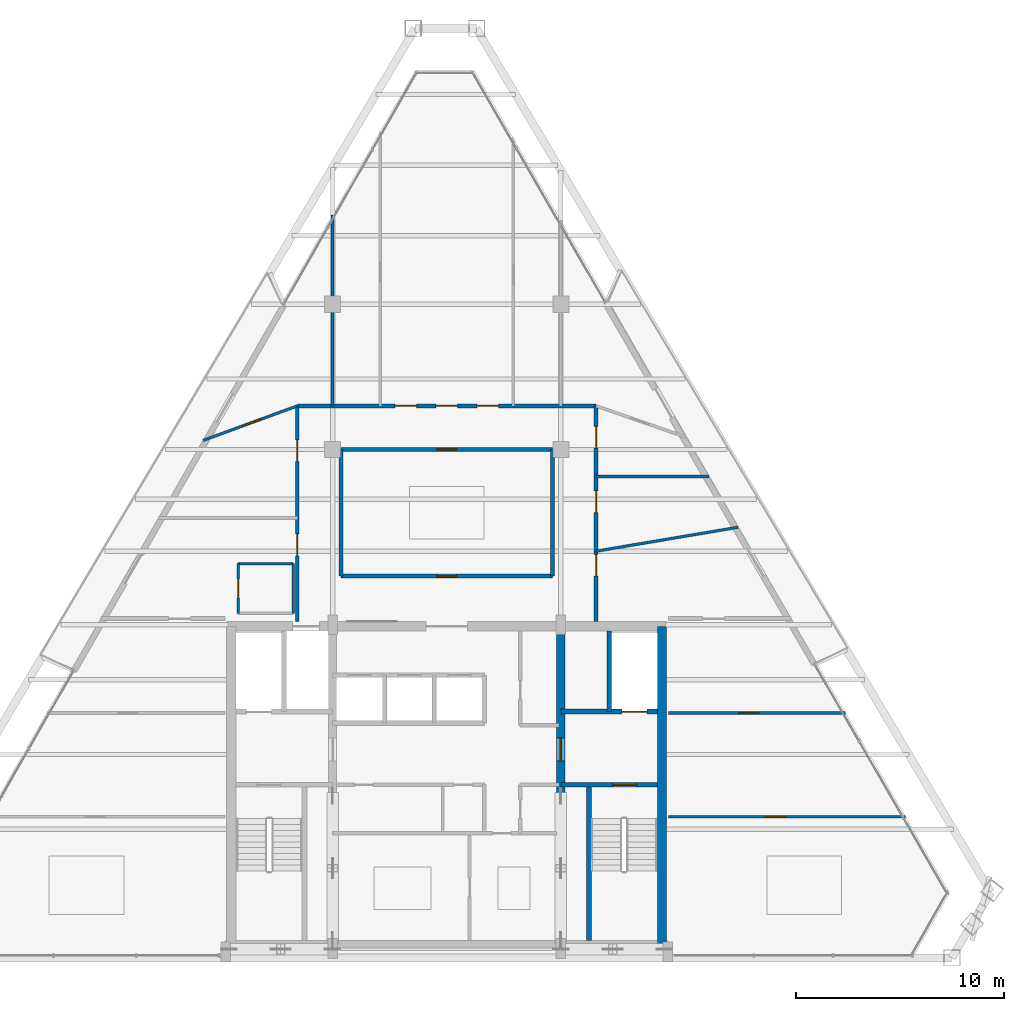
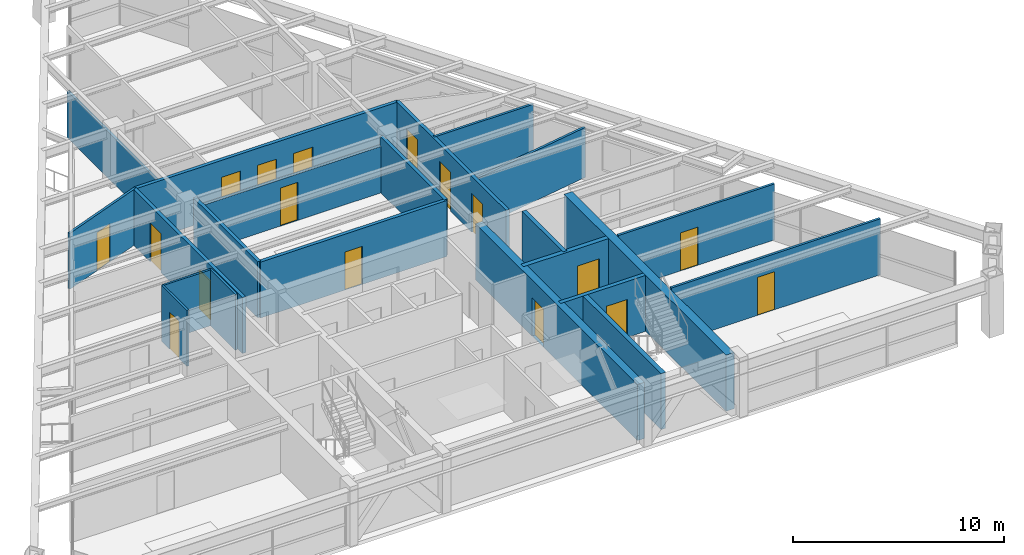
# One storey, part 10 of 13: 22 walls, 17 doors, 17 openings.
"""IFC4 building model written with IfcOpenShell, lengths in metres."""

from ifc_helpers import new_model, si_unit, direction, frame, frame_2d, origin, place, context, subcontext, project, spatial, rectangle, extrude, source, transform, mapped, material, layer, layer_set, type_object, type_shapes, element, fill, save


model = new_model("IFC4")

# Units and contexts
model_context = context("Model", 3, precision=1e-05, world=origin(), true_north=direction((0.0, 1.0)))
body_context = subcontext(model_context, "Body", "Model", "MODEL_VIEW")
ifc_project = project(units=[si_unit("LENGTHUNIT", "METRE"), si_unit("AREAUNIT", "SQUARE_METRE"), si_unit("VOLUMEUNIT", "CUBIC_METRE"), si_unit("PLANEANGLEUNIT", "RADIAN"), si_unit("MASSUNIT", "GRAM", prefix="KILO")], contexts=[model_context])

# Site, building, storey
site_placement = place(None, origin())
site = spatial("IfcSite", under=ifc_project, at=site_placement, CompositionType="ELEMENT")
building_placement = place(site_placement, origin())
building = spatial("IfcBuilding", under=site, at=building_placement, Name="Varnakhor Terracotta Tower", CompositionType="ELEMENT")
storey_placement = place(building_placement, frame((0.0, 0.0, 293.699951171875)))
storey = spatial("IfcBuildingStorey", under=building, at=storey_placement, Name="L77", CompositionType="ELEMENT", Elevation=293.699951171875)

# Wall
ifc_material_1 = material(Name="Moisture-Resistant Tile-Backed Partition", Category="gypsum")
ifc_layer_1 = layer(ifc_material_1, 0.114990234375, Name="Moisture-Resistant Tile-Backed Partition")
ifc_layer_set_1 = layer_set([ifc_layer_1], Name="Moisture-Resistant Tile-Backed Partition")
wall_type_1 = type_object("IfcWallType", Name="WAL-BATH-115", PredefinedType="PARTITIONING", material=ifc_layer_set_1)
wall_1_placement = place(storey_placement, frame((-10.050048828125, 19.0, 0.0), z_axis=(0.0, 0.0, 1.0), x_axis=(1.0, 0.0, 0.0)))
element("IfcWall", 1, at=wall_1_placement, inside=storey, type_object=wall_type_1, Name="L77 En-Suite 1 Wall N", PredefinedType="PARTITIONING", context=body_context, shape_type="SweptSolid", body=[
    extrude(rectangle(XDim=2.650146484375, YDim=0.114990234375, at=frame_2d((1.3251953125, 0.0))), origin(), (0.0, 0.0, 1.0), 3.23193359375),
])

# Wall, opening, door
wall_2_placement = place(storey_placement, frame((-10.050048828125, 16.60009765625, 0.0), z_axis=(0.0, 0.0, 1.0), x_axis=(0.0, 1.0, 0.0)))
wall_2 = element("IfcWall", 2, at=wall_2_placement, inside=storey, type_object=wall_type_1, Name="L77 En-Suite 1 Wall W", PredefinedType="PARTITIONING", context=body_context, shape_type="SweptSolid", body=[
    extrude(rectangle(XDim=2.39990234375, YDim=0.114990234375, at=frame_2d((1.199951171875, 0.0))), origin(), (0.0, 0.0, 1.0), 3.23193359375),
])
opening_1_placement = place(wall_2_placement, frame((0.75, 0.0, 0.0)))
opening_1 = element("IfcOpeningElement", 3, at=opening_1_placement, cuts=wall_2, Name="Opening DR-93", PredefinedType="OPENING", context=body_context, shape_type="SweptSolid", body=[
    extrude(rectangle(XDim=0.89990234375, YDim=2.14990234375, at=frame_2d((0.449951171875, 1.074951171875))), frame((0.0, 0.0673828125, 0.0), z_axis=(0.0, -1.0, 0.0), x_axis=(1.0, 0.0, 0.0)), (0.0, 0.0, 1.0), 0.135009765625),
])
ifc_material_2 = material(Name="Moisture-Resistant Accessible Bathroom Door", Category="wood")
door_type_1 = type_object("IfcDoorType", Name="DR-BATH-900X2150", OperationType="NOTDEFINED", PredefinedType="DOOR", material=ifc_material_2)
shared_shape_1 = source(origin(), body_context, "Body", "SweptSolid", [
    extrude(rectangle(XDim=0.89990234375, YDim=2.14990234375, at=frame_2d((0.449951171875, 1.074951171875))), frame((0.0, 0.02490234375, 0.0), z_axis=(0.0, -1.0, 0.0), x_axis=(1.0, 0.0, 0.0)), (0.0, 0.0, 1.0), 0.050048828125),
])
type_shapes(door_type_1, [shared_shape_1])
door_1_placement = place(opening_1_placement, origin())
door_1 = element("IfcDoor", 4, at=door_1_placement, inside=storey, type_object=door_type_1, Name="L77 En-Suite Bathroom 1 Door", OperationType="SINGLE_SWING_LEFT", OverallHeight=2.14990234375, OverallWidth=0.89990234375, PredefinedType="DOOR", context=body_context, shape_type="MappedRepresentation", body=[
    mapped(shared_shape_1, transform((0.0, 0.0, 0.0), scale=1.0)),
])
fill(opening_1, door_1)

# Walls
wall_3_placement = place(storey_placement, frame((-7.39990234375, 16.60009765625, 0.0), z_axis=(0.0, 0.0, 1.0), x_axis=(0.0, 1.0, 0.0)))
element("IfcWall", 5, at=wall_3_placement, inside=storey, type_object=wall_type_1, Name="L77 En-Suite 1 Wall E", PredefinedType="PARTITIONING", context=body_context, shape_type="SweptSolid", body=[
    extrude(rectangle(XDim=2.39990234375, YDim=0.114990234375, at=frame_2d((1.199951171875, 0.0))), origin(), (0.0, 0.0, 1.0), 3.23193359375),
])
ifc_material_3 = material(Name="Concrete C50/60", Category="concrete")
ifc_layer_2 = layer(ifc_material_3, 0.449951171875, Name="Concrete C50/60")
ifc_layer_set_2 = layer_set([ifc_layer_2], Name="Concrete C50/60")
wall_type_2 = type_object("IfcWallType", Name="WAL-CORE-450", PredefinedType="SHEAR", material=ifc_layer_set_2)
wall_4_placement = place(storey_placement, frame((10.375, 0.625, 0.0), z_axis=(0.0, 0.0, 1.0), x_axis=(0.0, 1.0, 0.0)))
element("IfcWall", 6, at=wall_4_placement, inside=storey, type_object=wall_type_2, Name="L77 East Core Shear Wall", PredefinedType="SHEAR", context=body_context, shape_type="SweptSolid", body=[
    extrude(rectangle(XDim=15.35009765625, YDim=0.449951171875, at=frame_2d((7.675048828125, 0.0))), origin(), (0.0, 0.0, 1.0), 3.239990234375),
])

# Wall, opening, door
ifc_layer_3 = layer(ifc_material_3, 0.39990234375, Name="Concrete C50/60")
ifc_layer_set_3 = layer_set([ifc_layer_3], Name="Concrete C50/60")
wall_type_3 = type_object("IfcWallType", Name="WAL-CORE-WEB-400", PredefinedType="SHEAR", material=ifc_layer_set_3)
wall_5_placement = place(storey_placement, frame((5.5, 0.625, 0.0), z_axis=(0.0, 0.0, 1.0), x_axis=(0.0, 1.0, 0.0)))
wall_5 = element("IfcWall", 7, at=wall_5_placement, inside=storey, type_object=wall_type_3, Name="L77 East Core Web Shear Wall", PredefinedType="SHEAR", context=body_context, shape_type="SweptSolid", body=[
    extrude(rectangle(XDim=15.35009765625, YDim=0.39990234375, at=frame_2d((7.675048828125, 0.0))), origin(), (0.0, 0.0, 1.0), 3.239990234375),
])
opening_2_placement = place(wall_5_placement, frame((8.875, 0.0, 0.0)))
opening_2 = element("IfcOpeningElement", 8, at=opening_2_placement, cuts=wall_5, Name="Opening DR-25", PredefinedType="OPENING", context=body_context, shape_type="SweptSolid", body=[
    extrude(rectangle(XDim=1.10009765625, YDim=2.199951171875, at=frame_2d((0.550048828125, 1.10009765625))), frame((0.0, 0.2099609375, 0.0), z_axis=(0.0, -1.0, 0.0), x_axis=(1.0, 0.0, 0.0)), (0.0, 0.0, 1.0), 0.419921875),
])
ifc_material_4 = material(Name="Firefighting Lobby Self-Closing Fire Door", Category="steel")
door_type_2 = type_object("IfcDoorType", Name="DR-FFL-1100X2200", OperationType="NOTDEFINED", PredefinedType="DOOR", material=ifc_material_4)
shared_shape_2 = source(origin(), body_context, "Body", "SweptSolid", [
    extrude(rectangle(XDim=1.10009765625, YDim=2.199951171875, at=frame_2d((0.550048828125, 1.10009765625))), frame((0.0, 0.02490234375, 0.0), z_axis=(0.0, -1.0, 0.0), x_axis=(1.0, 0.0, 0.0)), (0.0, 0.0, 1.0), 0.050048828125),
])
type_shapes(door_type_2, [shared_shape_2])
door_2_placement = place(opening_2_placement, origin())
door_2 = element("IfcDoor", 9, at=door_2_placement, inside=storey, type_object=door_type_2, Name="L77 East Firefighting Lobby Door", OperationType="SINGLE_SWING_LEFT", OverallHeight=2.199951171875, OverallWidth=1.10009765625, PredefinedType="DOOR", context=body_context, shape_type="MappedRepresentation", body=[
    mapped(shared_shape_2, transform((0.0, 0.0, 0.0), scale=1.0)),
])
fill(opening_2, door_2)

ifc_material_5 = material(Name="Fire-Rated Gypsum Stud Partition", Category="gypsum")
ifc_layer_4 = layer(ifc_material_5, 0.18505859375, Name="Fire-Rated Gypsum Stud Partition")
ifc_layer_set_4 = layer_set([ifc_layer_4], Name="Fire-Rated Gypsum Stud Partition")
wall_type_4 = type_object("IfcWallType", Name="WAL-CORR-185", PredefinedType="PARTITIONING", material=ifc_layer_set_4)
wall_6_placement = place(storey_placement, frame((-5.10009765625, 18.39990234375, 0.0), z_axis=(0.0, 0.0, 1.0), x_axis=(1.0, 0.0, 0.0)))
wall_6 = element("IfcWall", 10, at=wall_6_placement, inside=storey, type_object=wall_type_4, Name="L77 Ring Inner South Wall", PredefinedType="PARTITIONING", context=body_context, shape_type="SweptSolid", body=[
    extrude(rectangle(XDim=10.2001953125, YDim=0.18505859375, at=frame_2d((5.10009765625, 0.0))), origin(), (0.0, 0.0, 1.0), 3.23193359375),
])
opening_3_placement = place(wall_6_placement, frame((4.625, 0.0, 0.0)))
opening_3 = element("IfcOpeningElement", 11, at=opening_3_placement, cuts=wall_6, Name="Opening DR-94", PredefinedType="OPENING", context=body_context, shape_type="SweptSolid", body=[
    extrude(rectangle(XDim=0.949951171875, YDim=2.199951171875, at=frame_2d((0.47509765625, 1.10009765625))), frame((0.0, 0.1025390625, 0.0), z_axis=(0.0, -1.0, 0.0), x_axis=(1.0, 0.0, 0.0)), (0.0, 0.0, 1.0), 0.205078125),
])
ifc_material_6 = material(Name="Acoustic Glazed-Vision Timber Office Door", Category="wood")
door_type_3 = type_object("IfcDoorType", Name="DR-OFF-950X2200", OperationType="NOTDEFINED", PredefinedType="DOOR", material=ifc_material_6)
shared_shape_3 = source(origin(), body_context, "Body", "SweptSolid", [
    extrude(rectangle(XDim=0.949951171875, YDim=2.199951171875, at=frame_2d((0.47509765625, 1.10009765625))), frame((0.0, 0.02490234375, 0.0), z_axis=(0.0, -1.0, 0.0), x_axis=(1.0, 0.0, 0.0)), (0.0, 0.0, 1.0), 0.050048828125),
])
type_shapes(door_type_3, [shared_shape_3])
door_3_placement = place(opening_3_placement, origin())
door_3 = element("IfcDoor", 12, at=door_3_placement, inside=storey, type_object=door_type_3, Name="L77 Housekeeping Station Door", OperationType="SINGLE_SWING_RIGHT", OverallHeight=2.199951171875, OverallWidth=0.949951171875, PredefinedType="DOOR", context=body_context, shape_type="MappedRepresentation", body=[
    mapped(shared_shape_3, transform((0.0, 0.0, 0.0), scale=1.0)),
])
fill(opening_3, door_3)

wall_7_placement = place(storey_placement, frame((-5.10009765625, 24.5, 0.0), z_axis=(0.0, 0.0, 1.0), x_axis=(1.0, 0.0, 0.0)))
wall_7 = element("IfcWall", 13, at=wall_7_placement, inside=storey, type_object=wall_type_4, Name="L77 Ring Inner North Wall", PredefinedType="PARTITIONING", context=body_context, shape_type="SweptSolid", body=[
    extrude(rectangle(XDim=10.2001953125, YDim=0.18505859375, at=frame_2d((5.10009765625, 0.0))), origin(), (0.0, 0.0, 1.0), 2.68310546875),
])
opening_4_placement = place(wall_7_placement, frame((4.625, 0.0, 0.0)))
opening_4 = element("IfcOpeningElement", 14, at=opening_4_placement, cuts=wall_7, Name="Opening DR-94", PredefinedType="OPENING", context=body_context, shape_type="SweptSolid", body=[
    extrude(rectangle(XDim=0.949951171875, YDim=2.199951171875, at=frame_2d((0.47509765625, 1.10009765625))), frame((0.0, 0.1025390625, 0.0), z_axis=(0.0, -1.0, 0.0), x_axis=(1.0, 0.0, 0.0)), (0.0, 0.0, 1.0), 0.205078125),
])
door_4_placement = place(opening_4_placement, origin())
door_4 = element("IfcDoor", 15, at=door_4_placement, inside=storey, type_object=door_type_3, Name="L77 Inner Service Door", OperationType="SINGLE_SWING_LEFT", OverallHeight=2.199951171875, OverallWidth=0.949951171875, PredefinedType="DOOR", context=body_context, shape_type="MappedRepresentation", body=[
    mapped(shared_shape_3, transform((0.0, 0.0, 0.0), scale=1.0)),
])
fill(opening_4, door_4)

# Walls
for number, where, z_axis, x_axis, name in (
    (16, (-5.10009765625, 18.39990234375, 0.0), (0.0, 0.0, 1.0), (0.0, 1.0, 0.0), "L77 Ring Inner West Wall"),
    (17, (5.10009765625, 18.39990234375, 0.0), (0.0, 0.0, 1.0), (0.0, 1.0, 0.0), "L77 Ring Inner East Wall"),
):
    element("IfcWall", number, at=place(storey_placement, frame(where, z_axis=z_axis, x_axis=x_axis)), inside=storey, type_object=wall_type_4, Name=name, PredefinedType="PARTITIONING", context=body_context, shape_type="SweptSolid", body=[
        extrude(rectangle(XDim=6.10009765625, YDim=0.18505859375, at=frame_2d((3.050048828125, 0.0))), origin(), (0.0, 0.0, 1.0), 3.23193359375),
    ])

# Wall, openings, doors
wall_8_placement = place(storey_placement, frame((-7.199951171875, 16.199951171875, 0.0), z_axis=(0.0, 0.0, 1.0), x_axis=(0.0, 1.0, 0.0)))
wall_8 = element("IfcWall", 18, at=wall_8_placement, inside=storey, type_object=wall_type_4, Name="L77 Hotel West Corridor Wall", PredefinedType="PARTITIONING", context=body_context, shape_type="SweptSolid", body=[
    extrude(rectangle(XDim=10.400146484375, YDim=0.18505859375, at=frame_2d((5.2001953125, 0.0))), origin(), (0.0, 0.0, 1.0), 3.23193359375),
])
opening_5_placement = place(wall_8_placement, frame((3.1796875, 0.0, 0.0)))
opening_5 = element("IfcOpeningElement", 19, at=opening_5_placement, cuts=wall_8, Name="Opening DR-95", PredefinedType="OPENING", context=body_context, shape_type="SweptSolid", body=[
    extrude(rectangle(XDim=1.050048828125, YDim=2.25, at=frame_2d((0.52490234375, 1.125))), frame((0.0, 0.1025390625, 0.0), z_axis=(0.0, -1.0, 0.0), x_axis=(1.0, 0.0, 0.0)), (0.0, 0.0, 1.0), 0.205078125),
])
opening_6_placement = place(wall_8_placement, frame((7.71240234375, 0.0, 0.0)))
opening_6 = element("IfcOpeningElement", 20, at=opening_6_placement, cuts=wall_8, Name="Opening DR-95", PredefinedType="OPENING", context=body_context, shape_type="SweptSolid", body=[
    extrude(rectangle(XDim=1.050048828125, YDim=2.25, at=frame_2d((0.52490234375, 1.125))), frame((0.0, 0.1025390625, 0.0), z_axis=(0.0, -1.0, 0.0), x_axis=(1.0, 0.0, 0.0)), (0.0, 0.0, 1.0), 0.205078125),
])
ifc_material_7 = material(Name="Solid-Core Timber Tenant/Hotel Entrance Door", Category="wood")
door_type_4 = type_object("IfcDoorType", Name="DR-SUITE-1050X2250", OperationType="NOTDEFINED", PredefinedType="DOOR", material=ifc_material_7)
shared_shape_4 = source(origin(), body_context, "Body", "SweptSolid", [
    extrude(rectangle(XDim=1.050048828125, YDim=2.25, at=frame_2d((0.52490234375, 1.125))), frame((0.0, 0.02490234375, 0.0), z_axis=(0.0, -1.0, 0.0), x_axis=(1.0, 0.0, 0.0)), (0.0, 0.0, 1.0), 0.050048828125),
])
type_shapes(door_type_4, [shared_shape_4])
door_5_placement = place(opening_5_placement, origin())
door_5 = element("IfcDoor", 21, at=door_5_placement, inside=storey, type_object=door_type_4, Name="L77 West Room 1 Entry Door", OperationType="SINGLE_SWING_RIGHT", OverallHeight=2.25, OverallWidth=1.050048828125, PredefinedType="DOOR", context=body_context, shape_type="MappedRepresentation", body=[
    mapped(shared_shape_4, transform((0.0, 0.0, 0.0), scale=1.0)),
])
fill(opening_5, door_5)
door_6_placement = place(opening_6_placement, origin())
door_6 = element("IfcDoor", 22, at=door_6_placement, inside=storey, type_object=door_type_4, Name="L77 West Room 2 Entry Door", OperationType="SINGLE_SWING_RIGHT", OverallHeight=2.25, OverallWidth=1.050048828125, PredefinedType="DOOR", context=body_context, shape_type="MappedRepresentation", body=[
    mapped(shared_shape_4, transform((0.0, 0.0, 0.0), scale=1.0)),
])
fill(opening_6, door_6)

wall_9_placement = place(storey_placement, frame((7.199951171875, 16.199951171875, 0.0), z_axis=(0.0, 0.0, 1.0), x_axis=(0.0, 1.0, 0.0)))
wall_9 = element("IfcWall", 23, at=wall_9_placement, inside=storey, type_object=wall_type_4, Name="L77 Hotel East Corridor Wall", PredefinedType="PARTITIONING", context=body_context, shape_type="SweptSolid", body=[
    extrude(rectangle(XDim=10.400146484375, YDim=0.18505859375, at=frame_2d((5.2001953125, 0.0))), origin(), (0.0, 0.0, 1.0), 3.23193359375),
])
opening_7_placement = place(wall_9_placement, frame((2.1982421875, 0.0, 0.0)))
opening_7 = element("IfcOpeningElement", 24, at=opening_7_placement, cuts=wall_9, Name="Opening DR-95", PredefinedType="OPENING", context=body_context, shape_type="SweptSolid", body=[
    extrude(rectangle(XDim=1.050048828125, YDim=2.25, at=frame_2d((0.52490234375, 1.125))), frame((0.0, 0.1025390625, 0.0), z_axis=(0.0, -1.0, 0.0), x_axis=(1.0, 0.0, 0.0)), (0.0, 0.0, 1.0), 0.205078125),
])
opening_8_placement = place(wall_9_placement, frame((5.25244140625, 0.0, 0.0)))
opening_8 = element("IfcOpeningElement", 25, at=opening_8_placement, cuts=wall_9, Name="Opening DR-95", PredefinedType="OPENING", context=body_context, shape_type="SweptSolid", body=[
    extrude(rectangle(XDim=1.050048828125, YDim=2.25, at=frame_2d((0.52490234375, 1.125))), frame((0.0, 0.1025390625, 0.0), z_axis=(0.0, -1.0, 0.0), x_axis=(1.0, 0.0, 0.0)), (0.0, 0.0, 1.0), 0.205078125),
])
opening_9_placement = place(wall_9_placement, frame((8.36865234375, 0.0, 0.0)))
opening_9 = element("IfcOpeningElement", 26, at=opening_9_placement, cuts=wall_9, Name="Opening DR-95", PredefinedType="OPENING", context=body_context, shape_type="SweptSolid", body=[
    extrude(rectangle(XDim=1.050048828125, YDim=2.25, at=frame_2d((0.52490234375, 1.125))), frame((0.0, 0.1025390625, 0.0), z_axis=(0.0, -1.0, 0.0), x_axis=(1.0, 0.0, 0.0)), (0.0, 0.0, 1.0), 0.205078125),
])
door_7_placement = place(opening_7_placement, origin())
door_7 = element("IfcDoor", 27, at=door_7_placement, inside=storey, type_object=door_type_4, Name="L77 East Room 1 Entry Door", OperationType="SINGLE_SWING_LEFT", OverallHeight=2.25, OverallWidth=1.050048828125, PredefinedType="DOOR", context=body_context, shape_type="MappedRepresentation", body=[
    mapped(shared_shape_4, transform((0.0, 0.0, 0.0), scale=1.0)),
])
fill(opening_7, door_7)
door_8_placement = place(opening_8_placement, origin())
door_8 = element("IfcDoor", 28, at=door_8_placement, inside=storey, type_object=door_type_4, Name="L77 East Room 2 Entry Door", OperationType="SINGLE_SWING_RIGHT", OverallHeight=2.25, OverallWidth=1.050048828125, PredefinedType="DOOR", context=body_context, shape_type="MappedRepresentation", body=[
    mapped(shared_shape_4, transform((0.0, 0.0, 0.0), scale=1.0)),
])
fill(opening_8, door_8)
door_9_placement = place(opening_9_placement, origin())
door_9 = element("IfcDoor", 29, at=door_9_placement, inside=storey, type_object=door_type_4, Name="L77 East Room 3 Entry Door", OperationType="SINGLE_SWING_LEFT", OverallHeight=2.25, OverallWidth=1.050048828125, PredefinedType="DOOR", context=body_context, shape_type="MappedRepresentation", body=[
    mapped(shared_shape_4, transform((0.0, 0.0, 0.0), scale=1.0)),
])
fill(opening_9, door_9)

wall_10_placement = place(storey_placement, frame((-7.199951171875, 26.60009765625, 0.0), z_axis=(0.0, 0.0, 1.0), x_axis=(1.0, 0.0, 0.0)))
wall_10 = element("IfcWall", 30, at=wall_10_placement, inside=storey, type_object=wall_type_4, Name="L77 Hotel North Corridor Wall", PredefinedType="PARTITIONING", context=body_context, shape_type="SweptSolid", body=[
    extrude(rectangle(XDim=14.39990234375, YDim=0.18505859375, at=frame_2d((7.199951171875, 0.0))), origin(), (0.0, 0.0, 1.0), 3.23193359375),
])
opening_10_placement = place(wall_10_placement, frame((4.697509765625, 0.0, 0.0)))
opening_10 = element("IfcOpeningElement", 31, at=opening_10_placement, cuts=wall_10, Name="Opening DR-95", PredefinedType="OPENING", context=body_context, shape_type="SweptSolid", body=[
    extrude(rectangle(XDim=1.050048828125, YDim=2.25, at=frame_2d((0.52490234375, 1.125))), frame((0.0, 0.1025390625, 0.0), z_axis=(0.0, -1.0, 0.0), x_axis=(1.0, 0.0, 0.0)), (0.0, 0.0, 1.0), 0.205078125),
])
opening_11_placement = place(wall_10_placement, frame((6.675048828125, 0.0, 0.0)))
opening_11 = element("IfcOpeningElement", 32, at=opening_11_placement, cuts=wall_10, Name="Opening DR-95", PredefinedType="OPENING", context=body_context, shape_type="SweptSolid", body=[
    extrude(rectangle(XDim=1.050048828125, YDim=2.25, at=frame_2d((0.52490234375, 1.125))), frame((0.0, 0.1025390625, 0.0), z_axis=(0.0, -1.0, 0.0), x_axis=(1.0, 0.0, 0.0)), (0.0, 0.0, 1.0), 0.205078125),
])
opening_12_placement = place(wall_10_placement, frame((8.652587890625, 0.0, 0.0)))
opening_12 = element("IfcOpeningElement", 33, at=opening_12_placement, cuts=wall_10, Name="Opening DR-95", PredefinedType="OPENING", context=body_context, shape_type="SweptSolid", body=[
    extrude(rectangle(XDim=1.050048828125, YDim=2.25, at=frame_2d((0.52490234375, 1.125))), frame((0.0, 0.1025390625, 0.0), z_axis=(0.0, -1.0, 0.0), x_axis=(1.0, 0.0, 0.0)), (0.0, 0.0, 1.0), 0.205078125),
])
door_10_placement = place(opening_10_placement, origin())
door_10 = element("IfcDoor", 34, at=door_10_placement, inside=storey, type_object=door_type_4, Name="L77 North Suite 1 Entry Door", OperationType="SINGLE_SWING_RIGHT", OverallHeight=2.25, OverallWidth=1.050048828125, PredefinedType="DOOR", context=body_context, shape_type="MappedRepresentation", body=[
    mapped(shared_shape_4, transform((0.0, 0.0, 0.0), scale=1.0)),
])
fill(opening_10, door_10)
door_11_placement = place(opening_11_placement, origin())
door_11 = element("IfcDoor", 35, at=door_11_placement, inside=storey, type_object=door_type_4, Name="L77 North Suite 2 Entry Door", OperationType="SINGLE_SWING_LEFT", OverallHeight=2.25, OverallWidth=1.050048828125, PredefinedType="DOOR", context=body_context, shape_type="MappedRepresentation", body=[
    mapped(shared_shape_4, transform((0.0, 0.0, 0.0), scale=1.0)),
])
fill(opening_11, door_11)
door_12_placement = place(opening_12_placement, origin())
door_12 = element("IfcDoor", 36, at=door_12_placement, inside=storey, type_object=door_type_4, Name="L77 North Suite 3 Entry Door", OperationType="SINGLE_SWING_RIGHT", OverallHeight=2.25, OverallWidth=1.050048828125, PredefinedType="DOOR", context=body_context, shape_type="MappedRepresentation", body=[
    mapped(shared_shape_4, transform((0.0, 0.0, 0.0), scale=1.0)),
])
fill(opening_12, door_12)

# Wall, opening, door
ifc_material_8 = material(Name="Concrete C40/50", Category="concrete")
ifc_layer_5 = layer(ifc_material_8, 0.219970703125, Name="Concrete C40/50")
ifc_layer_set_5 = layer_set([ifc_layer_5], Name="Concrete C40/50")
wall_type_5 = type_object("IfcWallType", Name="WAL-FFLOBBY-220", PredefinedType="SOLIDWALL", material=ifc_layer_set_5)
wall_11_placement = place(storey_placement, frame((10.14990234375, 8.35009765625, 0.0), z_axis=(0.0, 0.0, 1.0), x_axis=(-1.0, 0.0, 0.0)))
wall_11 = element("IfcWall", 37, at=wall_11_placement, inside=storey, type_object=wall_type_5, Name="L77 East Firefighting Lobby Stair Wall", PredefinedType="SOLIDWALL", context=body_context, shape_type="SweptSolid", body=[
    extrude(rectangle(XDim=4.64990234375, YDim=0.219970703125, at=frame_2d((2.324951171875, 0.0))), origin(), (0.0, 0.0, 1.0), 3.239990234375),
])
opening_13_placement = place(wall_11_placement, frame((1.0, 0.0, 0.0)))
opening_13 = element("IfcOpeningElement", 38, at=opening_13_placement, cuts=wall_11, Name="Opening DR-34", PredefinedType="OPENING", context=body_context, shape_type="SweptSolid", body=[
    extrude(rectangle(XDim=1.14990234375, YDim=2.199951171875, at=frame_2d((0.574951171875, 1.10009765625))), frame((0.0, 0.1201171875, 0.0), z_axis=(0.0, -1.0, 0.0), x_axis=(1.0, 0.0, 0.0)), (0.0, 0.0, 1.0), 0.239990234375),
])
ifc_material_9 = material(Name="Self-Closing Smoke-Sealed Steel Fire Door", Category="steel")
door_type_5 = type_object("IfcDoorType", Name="DR-STAIR-1150X2200", OperationType="NOTDEFINED", PredefinedType="DOOR", material=ifc_material_9)
shared_shape_5 = source(origin(), body_context, "Body", "SweptSolid", [
    extrude(rectangle(XDim=1.14990234375, YDim=2.199951171875, at=frame_2d((0.574951171875, 1.10009765625))), frame((0.0, 0.02490234375, 0.0), z_axis=(0.0, -1.0, 0.0), x_axis=(1.0, 0.0, 0.0)), (0.0, 0.0, 1.0), 0.050048828125),
])
type_shapes(door_type_5, [shared_shape_5])
door_13_placement = place(opening_13_placement, origin())
door_13 = element("IfcDoor", 39, at=door_13_placement, inside=storey, type_object=door_type_5, Name="L77 Exit Stair ST-2 Fire Door", OperationType="SINGLE_SWING_RIGHT", OverallHeight=2.199951171875, OverallWidth=1.14990234375, PredefinedType="DOOR", context=body_context, shape_type="MappedRepresentation", body=[
    mapped(shared_shape_5, transform((0.0, 0.0, 0.0), scale=1.0)),
])
fill(opening_13, door_13)

ifc_material_10 = material(Name="Acoustic Hotel Room Partition", Category="gypsum")
ifc_layer_6 = layer(ifc_material_10, 0.1298828125, Name="Acoustic Hotel Room Partition")
ifc_layer_set_6 = layer_set([ifc_layer_6], Name="Acoustic Hotel Room Partition")
wall_type_6 = type_object("IfcWallType", Name="WAL-PART-130", PredefinedType="PARTITIONING", material=ifc_layer_set_6)
wall_12_placement = place(storey_placement, frame((-11.73681640625, 24.938232421875, 0.0), z_axis=(0.0, 0.0, 1.0), x_axis=(0.938986778796, 0.343953237005, 0.0)))
wall_12 = element("IfcWall", 40, at=wall_12_placement, inside=storey, type_object=wall_type_6, Name="L77 North West Suite South Wall", PredefinedType="PARTITIONING", context=body_context, shape_type="SweptSolid", body=[
    extrude(rectangle(XDim=4.83154296875, YDim=0.1298828125, at=frame_2d((2.415771484375, 0.0))), origin(), (0.0, 0.0, 1.0), 3.23193359375),
])
opening_14_placement = place(wall_12_placement, frame((2.010009765625, 0.0, 0.0)))
opening_14 = element("IfcOpeningElement", 41, at=opening_14_placement, cuts=wall_12, Name="Opening DR-94", PredefinedType="OPENING", context=body_context, shape_type="SweptSolid", body=[
    extrude(rectangle(XDim=0.949951171875, YDim=2.199951171875, at=frame_2d((0.47509765625, 1.10009765625))), frame((0.0, 0.074951171875, 0.0), z_axis=(0.0, -1.0, 0.0), x_axis=(1.0, 0.0, 0.0)), (0.0, 0.0, 1.0), 0.14990234375),
])
door_14_placement = place(opening_14_placement, origin())
door_14 = element("IfcDoor", 42, at=door_14_placement, inside=storey, type_object=door_type_3, Name="L77 Hearing Registry Office NW Door", OperationType="SINGLE_SWING_RIGHT", OverallHeight=2.199951171875, OverallWidth=0.949951171875, PredefinedType="DOOR", context=body_context, shape_type="MappedRepresentation", body=[
    mapped(shared_shape_3, transform((0.0, 0.0, 0.0), scale=1.0)),
])
fill(opening_14, door_14)

# Wall
wall_13_placement = place(storey_placement, frame((-5.5, 26.60009765625, 0.0), z_axis=(0.0, 0.0, 1.0), x_axis=(0.0, 1.0, 0.0)))
element("IfcWall", 43, at=wall_13_placement, inside=storey, type_object=wall_type_6, Name="L77 North West Column Wall", PredefinedType="PARTITIONING", context=body_context, shape_type="SweptSolid", body=[
    extrude(rectangle(XDim=9.210693359375, YDim=0.1298828125, at=frame_2d((4.60546875, 0.0))), origin(), (0.0, 0.0, 1.0), 2.68310546875),
])

# Wall, opening, door
wall_14_placement = place(storey_placement, frame((10.679931640625, 6.800048828125, 0.0), z_axis=(0.0, 0.0, 1.0), x_axis=(1.0, 0.0, 0.0)))
wall_14 = element("IfcWall", 44, at=wall_14_placement, inside=storey, type_object=wall_type_6, Name="L77 SE Key Split 1", PredefinedType="PARTITIONING", context=body_context, shape_type="SweptSolid", body=[
    extrude(rectangle(XDim=11.430419921875, YDim=0.1298828125, at=frame_2d((5.71533203125, 0.0))), origin(), (0.0, 0.0, 1.0), 3.23193359375),
])
opening_15_placement = place(wall_14_placement, frame((4.70263671875, 0.0, 0.0)))
opening_15 = element("IfcOpeningElement", 45, at=opening_15_placement, cuts=wall_14, Name="Opening DR-94", PredefinedType="OPENING", context=body_context, shape_type="SweptSolid", body=[
    extrude(rectangle(XDim=0.949951171875, YDim=2.199951171875, at=frame_2d((0.47509765625, 1.10009765625))), frame((0.0, 0.074951171875, 0.0), z_axis=(0.0, -1.0, 0.0), x_axis=(1.0, 0.0, 0.0)), (0.0, 0.0, 1.0), 0.14990234375),
])
door_15_placement = place(opening_15_placement, origin())
door_15 = element("IfcDoor", 46, at=door_15_placement, inside=storey, type_object=door_type_3, Name="L77 SE Suite Connect Door 1", OperationType="SINGLE_SWING_RIGHT", OverallHeight=2.199951171875, OverallWidth=0.949951171875, PredefinedType="DOOR", context=body_context, shape_type="MappedRepresentation", body=[
    mapped(shared_shape_3, transform((0.0, 0.0, 0.0), scale=1.0)),
])
fill(opening_15, door_15)

wall_15_placement = place(storey_placement, frame((10.679931640625, 11.800048828125, 0.0), z_axis=(0.0, 0.0, 1.0), x_axis=(1.0, 0.0, 0.0)))
wall_15 = element("IfcWall", 47, at=wall_15_placement, inside=storey, type_object=wall_type_6, Name="L77 SE Key Split 2", PredefinedType="PARTITIONING", context=body_context, shape_type="SweptSolid", body=[
    extrude(rectangle(XDim=8.53955078125, YDim=0.1298828125, at=frame_2d((4.269775390625, 0.0))), origin(), (0.0, 0.0, 1.0), 3.23193359375),
])
opening_16_placement = place(wall_15_placement, frame((3.40185546875, 0.0, 0.0)))
opening_16 = element("IfcOpeningElement", 48, at=opening_16_placement, cuts=wall_15, Name="Opening DR-94", PredefinedType="OPENING", context=body_context, shape_type="SweptSolid", body=[
    extrude(rectangle(XDim=0.949951171875, YDim=2.199951171875, at=frame_2d((0.47509765625, 1.10009765625))), frame((0.0, 0.074951171875, 0.0), z_axis=(0.0, -1.0, 0.0), x_axis=(1.0, 0.0, 0.0)), (0.0, 0.0, 1.0), 0.14990234375),
])
door_16_placement = place(opening_16_placement, origin())
door_16 = element("IfcDoor", 49, at=door_16_placement, inside=storey, type_object=door_type_3, Name="L77 SE Suite Connect Door 2", OperationType="SINGLE_SWING_LEFT", OverallHeight=2.199951171875, OverallWidth=0.949951171875, PredefinedType="DOOR", context=body_context, shape_type="MappedRepresentation", body=[
    mapped(shared_shape_3, transform((0.0, 0.0, 0.0), scale=1.0)),
])
fill(opening_16, door_16)

# Walls
wall_16_placement = place(storey_placement, frame((7.199951171875, 19.60009765625, 0.0), z_axis=(0.0, 0.0, 1.0), x_axis=(0.986143702521, 0.165893333134, 0.0)))
element("IfcWall", 50, at=wall_16_placement, inside=storey, type_object=wall_type_6, Name="L77 East Key Cut 1", PredefinedType="PARTITIONING", context=body_context, shape_type="SweptSolid", body=[
    extrude(rectangle(XDim=6.9404296875, YDim=0.1298828125, at=frame_2d((3.47021484375, 0.0))), origin(), (0.0, 0.0, 1.0), 2.885009765625),
])
wall_17_placement = place(storey_placement, frame((7.199951171875, 23.199951171875, 0.0), z_axis=(0.0, 0.0, 1.0), x_axis=(1.0, 0.0, 0.0)))
element("IfcWall", 51, at=wall_17_placement, inside=storey, type_object=wall_type_6, Name="L77 East Key Cut 2", PredefinedType="PARTITIONING", context=body_context, shape_type="SweptSolid", body=[
    extrude(rectangle(XDim=5.428466796875, YDim=0.1298828125, at=frame_2d((2.71435546875, 0.0))), origin(), (0.0, 0.0, 1.0), 3.23193359375),
])
ifc_layer_7 = layer(ifc_material_8, 0.219970703125, Name="Concrete C40/50")
ifc_layer_set_7 = layer_set([ifc_layer_7], Name="Concrete C40/50")
wall_type_7 = type_object("IfcWallType", Name="WAL-SHAFT-220", PredefinedType="SOLIDWALL", material=ifc_layer_set_7)
wall_18_placement = place(storey_placement, frame((7.840087890625, 11.8701171875, 0.0), z_axis=(0.0, 0.0, 1.0), x_axis=(0.0, 1.0, 0.0)))
element("IfcWall", 52, at=wall_18_placement, inside=storey, type_object=wall_type_7, Name="L77 Lift FFL-2 and Riser Divider Wall", PredefinedType="SOLIDWALL", context=body_context, shape_type="SweptSolid", body=[
    extrude(rectangle(XDim=3.8798828125, YDim=0.219970703125, at=frame_2d((1.93994140625, 0.0))), origin(), (0.0, 0.0, 1.0), 3.239990234375),
])
ifc_layer_8 = layer(ifc_material_8, 0.25, Name="Concrete C40/50")
ifc_layer_set_8 = layer_set([ifc_layer_8], Name="Concrete C40/50")
wall_type_8 = type_object("IfcWallType", Name="WAL-SHAFT-250", PredefinedType="SOLIDWALL", material=ifc_layer_set_8)
wall_19_placement = place(storey_placement, frame((6.85009765625, 0.85009765625, 0.0), z_axis=(0.0, 0.0, 1.0), x_axis=(0.0, 1.0, 0.0)))
element("IfcWall", 53, at=wall_19_placement, inside=storey, type_object=wall_type_8, Name="L77 Stair ST-2 Bearing Shaft Wall", PredefinedType="SOLIDWALL", context=body_context, shape_type="SweptSolid", body=[
    extrude(rectangle(XDim=7.5, YDim=0.25, at=frame_2d((3.75, 0.0))), origin(), (0.0, 0.0, 1.0), 3.239990234375),
])

# Wall, opening, door
wall_20_placement = place(storey_placement, frame((10.14990234375, 11.8701171875, 0.0), z_axis=(0.0, 0.0, 1.0), x_axis=(-1.0, 0.0, 0.0)))
wall_20 = element("IfcWall", 54, at=wall_20_placement, inside=storey, type_object=wall_type_8, Name="L77 Lift FFL-2 Shaft Front Wall", PredefinedType="SOLIDWALL", context=body_context, shape_type="SweptSolid", body=[
    extrude(rectangle(XDim=4.64990234375, YDim=0.25, at=frame_2d((2.324951171875, 0.0))), origin(), (0.0, 0.0, 1.0), 3.239990234375),
])
opening_17_placement = place(wall_20_placement, frame((0.5, 0.0, 0.0)))
opening_17 = element("IfcOpeningElement", 55, at=opening_17_placement, cuts=wall_20, Name="Opening LD-02", PredefinedType="OPENING", context=body_context, shape_type="SweptSolid", body=[
    extrude(rectangle(XDim=1.199951171875, YDim=2.25, at=frame_2d((0.60009765625, 1.125))), frame((0.0, 0.135009765625, 0.0), z_axis=(0.0, -1.0, 0.0), x_axis=(1.0, 0.0, 0.0)), (0.0, 0.0, 1.0), 0.27001953125),
])
ifc_material_11 = material(Name="Firefighting Stretcher Sliding Lift Landing Door", Category="steel")
door_type_6 = type_object("IfcDoorType", Name="LD-FFL-1200X2250", OperationType="NOTDEFINED", PredefinedType="DOOR", material=ifc_material_11)
shared_shape_6 = source(origin(), body_context, "Body", "SweptSolid", [
    extrude(rectangle(XDim=1.199951171875, YDim=2.25, at=frame_2d((0.60009765625, 1.125))), frame((0.0, 0.02490234375, 0.0), z_axis=(0.0, -1.0, 0.0), x_axis=(1.0, 0.0, 0.0)), (0.0, 0.0, 1.0), 0.050048828125),
])
type_shapes(door_type_6, [shared_shape_6])
door_17_placement = place(opening_17_placement, origin())
door_17 = element("IfcDoor", 56, at=door_17_placement, inside=storey, type_object=door_type_6, Name="L77 Firefighting Lift FFL-2 Landing Door", OperationType="SLIDING_TO_RIGHT", OverallHeight=2.25, OverallWidth=1.199951171875, PredefinedType="DOOR", context=body_context, shape_type="MappedRepresentation", body=[
    mapped(shared_shape_6, transform((0.0, 0.0, 0.0), scale=1.0)),
])
fill(opening_17, door_17)

save(model, "model.ifc")
